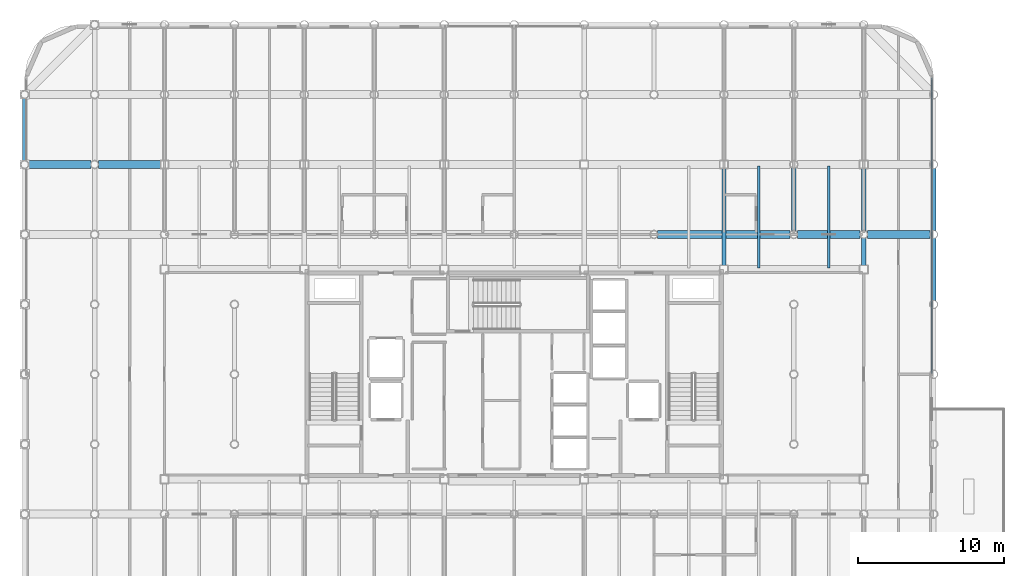
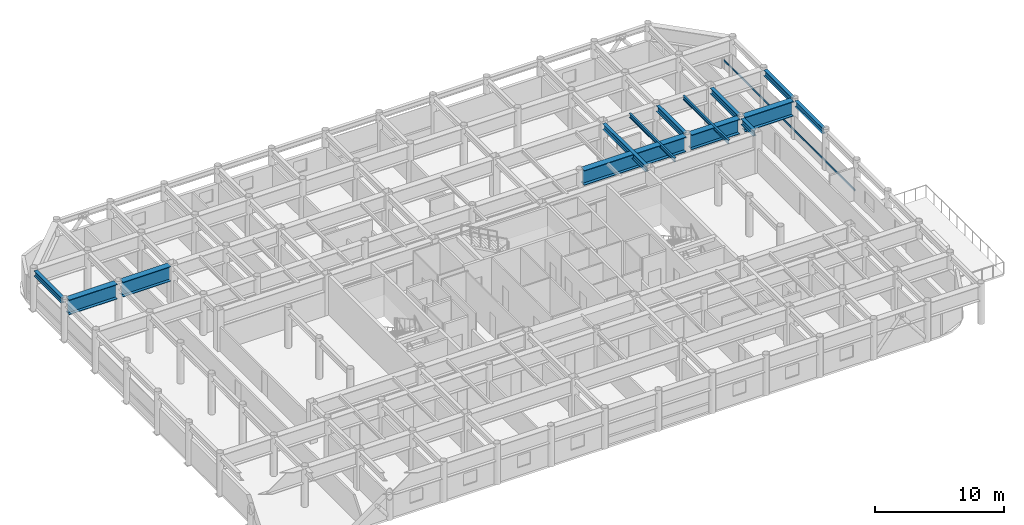
# One storey, part 11 of 25: 14 beams, 1 member, 1 element without a shape of its own.
"""IFC4 building model written with IfcOpenShell, lengths in metres."""

from ifc_helpers import new_model, si_unit, direction, frame, origin, origin_2d, place, context, subcontext, project, spatial, hollow_rectangle, i_section, extrude, material, layer, layer_set, material_profile, profile_set, type_object, element, aggregate, save


model = new_model("IFC4")

# Units and contexts
model_context = context("Model", 3, precision=1e-05, world=origin(), true_north=direction((0.0, 1.0)))
body_context = subcontext(model_context, "Body", "Model", "MODEL_VIEW")
ifc_project = project(units=[si_unit("LENGTHUNIT", "METRE"), si_unit("AREAUNIT", "SQUARE_METRE"), si_unit("VOLUMEUNIT", "CUBIC_METRE"), si_unit("PLANEANGLEUNIT", "RADIAN"), si_unit("MASSUNIT", "GRAM", prefix="KILO")], contexts=[model_context])

# Site, building, storey
site_placement = place(None, origin())
site = spatial("IfcSite", under=ifc_project, at=site_placement, CompositionType="ELEMENT")
building_placement = place(site_placement, origin())
building = spatial("IfcBuilding", under=site, at=building_placement, Name="Kallvorn Hotel Tower", CompositionType="ELEMENT")
storey_placement = place(building_placement, frame((0.0, 0.0, 249.25)))
storey = spatial("IfcBuildingStorey", under=building, at=storey_placement, Name="L62", CompositionType="ELEMENT", Elevation=249.25)

# Beams
ifc_material_1 = material(Name="Structural steel S355JR", Category="steel")
ifc_material_profile_1 = material_profile(ifc_material_1, i_section(OverallWidth=0.300048828125, OverallDepth=0.5, WebThickness=0.014404296875, FlangeThickness=0.028076171875, at=origin_2d()), Name="HE 500 B")
ifc_profile_set_1 = profile_set([ifc_material_profile_1], Name="Structural steel S355JR")
beam_type_1 = type_object("IfcBeamType", Name="BM_HE500B", PredefinedType="SPANDREL", material=ifc_profile_set_1)
beam_1_placement = place(storey_placement, frame((-33.60009765625, 14.66943359375, 3.419921875), z_axis=(0.0, 1.0, 0.0), x_axis=(-1.0, 0.0, 0.0)))
element("IfcBeam", 1, at=beam_1_placement, inside=storey, type_object=beam_type_1, Name="L63 Perimeter Spandrel 180", PredefinedType="SPANDREL", context=body_context, shape_type="SweptSolid", body=[
    extrude(i_section(OverallWidth=0.300048828125, OverallDepth=0.5, WebThickness=0.014404296875, FlangeThickness=0.028076171875, at=origin_2d()), origin(), (0.0, 0.0, 1.0), 4.260986328125),
])
ifc_material_2 = material(Name="Structural steel S355JR", Category="steel")
ifc_material_profile_2 = material_profile(ifc_material_2, i_section(OverallWidth=0.300048828125, OverallDepth=0.550048828125, WebThickness=0.014892578125, FlangeThickness=0.029052734375, at=origin_2d()), Name="HE 550 B")
ifc_profile_set_2 = profile_set([ifc_material_profile_2], Name="Structural steel S355JR")
beam_type_2 = type_object("IfcBeamType", Name="BM_HE550B", PredefinedType="SPANDREL", material=ifc_profile_set_2)
beam_2_placement = place(storey_placement, frame((14.39990234375, 7.47509765625, 3.39501953125), z_axis=(0.0, 1.0, 0.0), x_axis=(-1.0, 0.0, 0.0)))
element("IfcBeam", 2, at=beam_2_placement, inside=storey, type_object=beam_type_2, Name="L63 Primary Y-Girder 124", PredefinedType="SPANDREL", context=body_context, shape_type="SweptSolid", body=[
    extrude(i_section(OverallWidth=0.300048828125, OverallDepth=0.550048828125, WebThickness=0.014892578125, FlangeThickness=0.029052734375, at=origin_2d()), origin(), (0.0, 0.0, 1.0), 6.64990234375),
])
beam_3_placement = place(storey_placement, frame((19.199951171875, 9.8544921875, 3.39501953125), z_axis=(0.0, 1.0, 0.0), x_axis=(-1.0, 0.0, 0.0)))
element("IfcBeam", 3, at=beam_3_placement, inside=storey, type_object=beam_type_2, Name="L63 Primary Y-Girder 133", PredefinedType="SPANDREL", context=body_context, shape_type="SweptSolid", body=[
    extrude(i_section(OverallWidth=0.300048828125, OverallDepth=0.550048828125, WebThickness=0.014892578125, FlangeThickness=0.029052734375, at=origin_2d()), origin(), (0.0, 0.0, 1.0), 4.291015625),
])
beam_4_placement = place(storey_placement, frame((24.0, 7.47509765625, 3.39501953125), z_axis=(0.0, 1.0, 0.0), x_axis=(-1.0, 0.0, 0.0)))
element("IfcBeam", 4, at=beam_4_placement, inside=storey, type_object=beam_type_2, Name="L63 Primary Y-Girder 139", PredefinedType="SPANDREL", context=body_context, shape_type="SweptSolid", body=[
    extrude(i_section(OverallWidth=0.300048828125, OverallDepth=0.550048828125, WebThickness=0.014892578125, FlangeThickness=0.029052734375, at=origin_2d()), origin(), (0.0, 0.0, 1.0), 1.870361328125),
])
beam_5_placement = place(storey_placement, frame((24.0, 9.8544921875, 3.39501953125), z_axis=(0.0, 1.0, 0.0), x_axis=(-1.0, 0.0, 0.0)))
element("IfcBeam", 5, at=beam_5_placement, inside=storey, type_object=beam_type_2, Name="L63 Primary Y-Girder 140", PredefinedType="SPANDREL", context=body_context, shape_type="SweptSolid", body=[
    extrude(i_section(OverallWidth=0.300048828125, OverallDepth=0.550048828125, WebThickness=0.014892578125, FlangeThickness=0.029052734375, at=origin_2d()), origin(), (0.0, 0.0, 1.0), 4.2705078125),
])
for number, where, z_axis, x_axis, name in (
    (6, (28.800048828125, 5.054443359375, 3.39501953125), (0.0, 1.0, 0.0), (-1.0, 0.0, 0.0), "L63 Primary Y-Girder 148"),
    (7, (28.800048828125, 9.8544921875, 3.39501953125), (0.0, 1.0, 0.0), (-1.0, 0.0, 0.0), "L63 Primary Y-Girder 149"),
):
    element("IfcBeam", number, at=place(storey_placement, frame(where, z_axis=z_axis, x_axis=x_axis)), inside=storey, type_object=beam_type_2, Name=name, PredefinedType="SPANDREL", context=body_context, shape_type="SweptSolid", body=[
        extrude(i_section(OverallWidth=0.300048828125, OverallDepth=0.550048828125, WebThickness=0.014892578125, FlangeThickness=0.029052734375, at=origin_2d()), origin(), (0.0, 0.0, 1.0), 4.291015625),
    ])
ifc_material_3 = material(Name="Structural steel S355JR", Category="steel")
ifc_material_profile_3 = material_profile(ifc_material_3, i_section(OverallWidth=0.169921875, OverallDepth=0.360107421875, WebThickness=0.008056640625, FlangeThickness=0.0126953125, at=origin_2d()), Name="IPE 360")
ifc_profile_set_3 = profile_set([ifc_material_profile_3], Name="Structural steel S355JR")
beam_type_3 = type_object("IfcBeamType", Name="BM_IPE360", PredefinedType="JOIST", material=ifc_profile_set_3)
for number, where, z_axis, x_axis, name in (
    (8, (16.800048828125, 7.300048828125, 3.489990234375), (0.0, 1.0, 0.0), (-1.0, 0.0, 0.0), "L63 Secondary Composite Joist 207"),
    (9, (21.60009765625, 7.300048828125, 3.489990234375), (0.0, 1.0, 0.0), (-1.0, 0.0, 0.0), "L63 Secondary Composite Joist 209"),
):
    element("IfcBeam", number, at=place(storey_placement, frame(where, z_axis=z_axis, x_axis=x_axis)), inside=storey, type_object=beam_type_3, Name=name, PredefinedType="JOIST", context=body_context, shape_type="SweptSolid", body=[
        extrude(i_section(OverallWidth=0.169921875, OverallDepth=0.360107421875, WebThickness=0.008056640625, FlangeThickness=0.0126953125, at=origin_2d()), origin(), (0.0, 0.0, 1.0), 7.0),
    ])
ifc_material_4 = material(Name="Structural steel S355JR", Category="steel")
ifc_material_profile_4 = material_profile(ifc_material_4, i_section(OverallWidth=0.550048828125, OverallDepth=1.39990234375, WebThickness=0.02490234375, FlangeThickness=0.044921875, at=origin_2d()), Name="PG 1400x550x25x45")
ifc_profile_set_4 = profile_set([ifc_material_profile_4], Name="Structural steel S355JR")
beam_type_4 = type_object("IfcBeamType", Name="BM_PG_1400", PredefinedType="BEAM", material=ifc_profile_set_4)
beam_6_placement = place(storey_placement, frame((9.8544921875, 9.60009765625, 2.969970703125), z_axis=(1.0, 0.0, 0.0), x_axis=(0.0, 1.0, 0.0)))
element("IfcBeam", 10, at=beam_6_placement, inside=storey, type_object=beam_type_4, Name="L63 Primary X-Girder 47", PredefinedType="BEAM", context=body_context, shape_type="SweptSolid", body=[
    extrude(i_section(OverallWidth=0.550048828125, OverallDepth=1.39990234375, WebThickness=0.02490234375, FlangeThickness=0.044921875, at=origin_2d()), origin(), (0.0, 0.0, 1.0), 9.091064453125),
])
for number, where, z_axis, x_axis, name in (
    (11, (19.45458984375, 9.60009765625, 2.969970703125), (1.0, 0.0, 0.0), (0.0, 1.0, 0.0), "L63 Primary X-Girder 48"),
    (12, (24.25439453125, 9.60009765625, 2.969970703125), (1.0, 0.0, 0.0), (0.0, 1.0, 0.0), "L63 Primary X-Girder 49"),
    (13, (-33.345458984375, 14.39990234375, 2.969970703125), (1.0, 0.0, 0.0), (0.0, 1.0, 0.0), "L63 Primary X-Girder 50"),
):
    element("IfcBeam", number, at=place(storey_placement, frame(where, z_axis=z_axis, x_axis=x_axis)), inside=storey, type_object=beam_type_4, Name=name, PredefinedType="BEAM", context=body_context, shape_type="SweptSolid", body=[
        extrude(i_section(OverallWidth=0.550048828125, OverallDepth=1.39990234375, WebThickness=0.02490234375, FlangeThickness=0.044921875, at=origin_2d()), origin(), (0.0, 0.0, 1.0), 4.291015625),
    ])
beam_7_placement = place(storey_placement, frame((-28.54541015625, 14.39990234375, 2.969970703125), z_axis=(1.0, 0.0, 0.0), x_axis=(0.0, 1.0, 0.0)))
element("IfcBeam", 14, at=beam_7_placement, inside=storey, type_object=beam_type_4, Name="L63 Primary X-Girder 51", PredefinedType="BEAM", context=body_context, shape_type="SweptSolid", body=[
    extrude(i_section(OverallWidth=0.550048828125, OverallDepth=1.39990234375, WebThickness=0.02490234375, FlangeThickness=0.044921875, at=origin_2d()), origin(), (0.0, 0.0, 1.0), 4.2705078125),
])

# Curtain wall, member
ifc_material_5 = material(Name="Thermally broken black-anodised aluminium AA 6063-T6", Category="aluminium")
ifc_layer = layer(ifc_material_5, 0.22998046875)
ifc_layer_set = layer_set([ifc_layer], Name="CW_SYS_5_HOTEL_HIGH")
curtain_wall_type = type_object("IfcCurtainWallType", Name="CW_SYS_5_HOTEL_HIGH", PredefinedType="USERDEFINED", material=ifc_layer_set)
curtain_wall_placement = place(storey_placement, origin())
curtain_wall = element("IfcCurtainWall", 15, at=curtain_wall_placement, inside=storey, type_object=curtain_wall_type, Name="L62 Dark-Glass Curtain Wall CW-L62-EN", ObjectType="UNITISED CURTAIN WALL", PredefinedType="USERDEFINED")
ifc_material_6 = material(Name="Thermally broken black-anodised aluminium AA 6063-T6", Category="aluminium")
ifc_material_profile_5 = material_profile(ifc_material_6, hollow_rectangle(XDim=0.070068359375, YDim=0.179931640625, WallThickness=0.00390625, at=origin_2d()), Name="TRN 180x70")
ifc_profile_set_5 = profile_set([ifc_material_profile_5], Name="Thermally broken black-anodised aluminium AA 6063-T6")
member_type = type_object("IfcMemberType", Name="CW_TRANSOM_180x70", PredefinedType="USERDEFINED", material=ifc_profile_set_5)
member_placement = place(storey_placement, frame((28.679931640625, 0.06005859375, 0.85009765625), z_axis=(0.0, 1.0, 0.0), x_axis=(-1.0, 0.0, 0.0)))
member = element("IfcMember", 16, at=member_placement, type_object=member_type, Name="CW-L62-EN Transom 00M", ObjectType="TRANSOM", PredefinedType="USERDEFINED", context=body_context, shape_type="SweptSolid", body=[
    extrude(hollow_rectangle(XDim=0.070068359375, YDim=0.179931640625, WallThickness=0.00390625, at=origin_2d()), origin(), (0.0, 0.0, 1.0), 20.300048828125),
])
aggregate(curtain_wall, [member])

save(model, "model.ifc")
